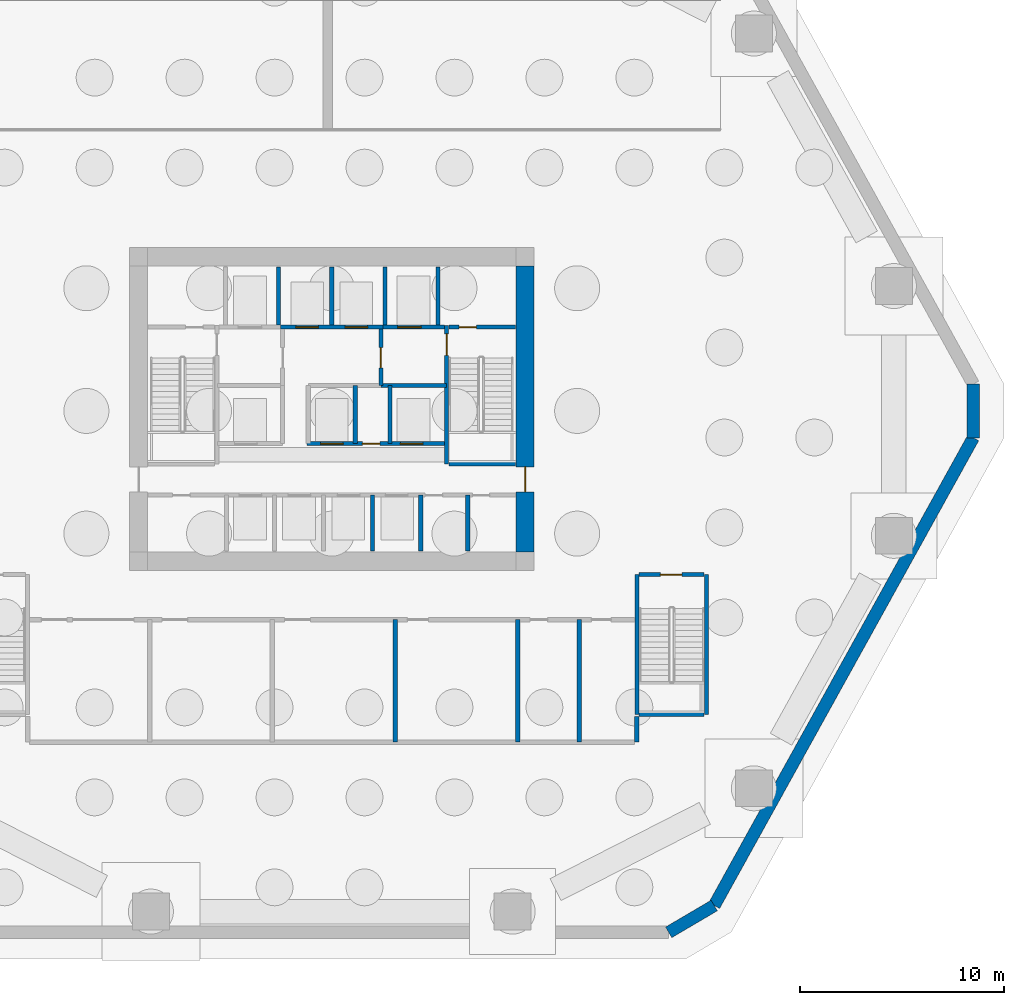
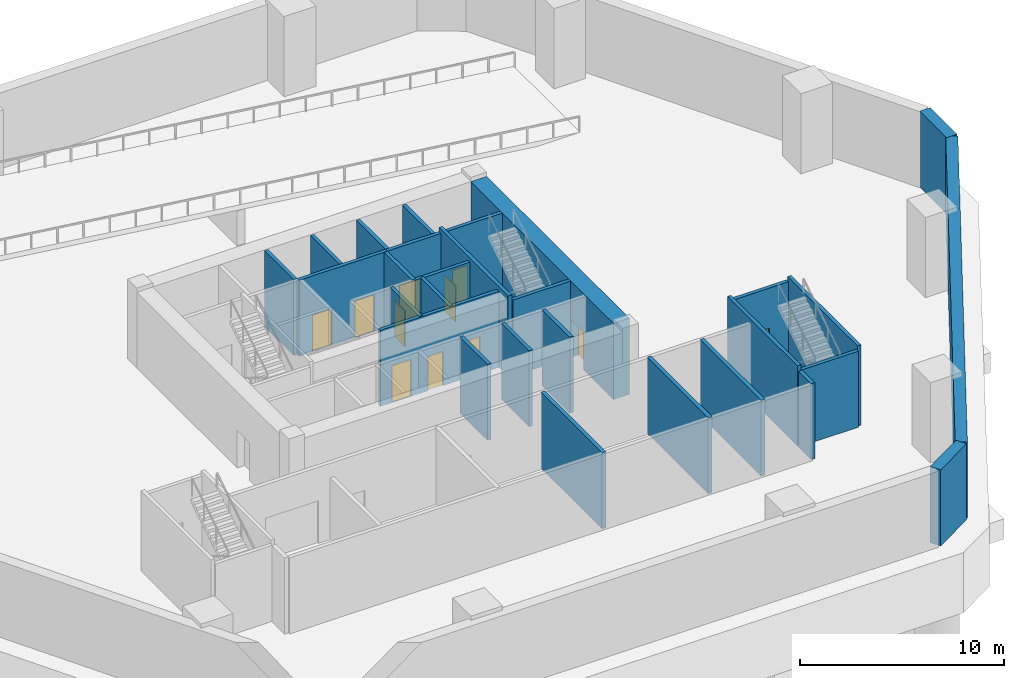
# One storey, part 4 of 9: 29 walls, 11 doors, 11 openings.
"""IFC4 building model written with IfcOpenShell, lengths in metres."""

import ifcopenshell
import ifcopenshell.guid

model = None  # the IFC model being written
_history = None  # IfcOwnerHistory: only IFC2X3 demands one
_inside = {}  # id of a spatial element -> (the spatial element, [elements in it])
_under = {}  # id of a project, library or spatial element -> (it, [spatial elements below it])
_declared = {}  # id of a project -> (the project, [libraries it declares])
_typed = {}  # id of a type object -> (the type object, [elements of that type])
_made_of = {}  # id of a material, layer set ... -> (it, [elements and type objects made of it])


def new_model(schema):
    """Start an empty IFC model of exactly this schema.

    Asked for "IFC4X3", IfcOpenShell would pick the latest addendum, in which some entities
    have other attributes; the version numbers below select the first issue.
    IFC2X3 requires an IfcOwnerHistory on every rooted entity: one is made here for all.
    """
    global model, _history
    if schema == "IFC4X3":
        model = ifcopenshell.file(schema_version=(4, 3, 0, 0))
    else:
        model = ifcopenshell.file(schema=schema)
    _inside.clear()
    _under.clear()
    _declared.clear()
    _typed.clear()
    _made_of.clear()
    _history = None
    if model.schema == "IFC2X3":
        org = make("IfcOrganization", Name="unknown")
        user = make(
            "IfcPersonAndOrganization",
            ThePerson=make("IfcPerson", FamilyName="unknown"),
            TheOrganization=org,
        )
        app = make(
            "IfcApplication",
            ApplicationDeveloper=org,
            Version="unknown",
            ApplicationFullName="unknown",
            ApplicationIdentifier="unknown",
        )
        _history = make(
            "IfcOwnerHistory",
            OwningUser=user,
            OwningApplication=app,
            ChangeAction="ADDED",
            CreationDate=0,
        )
    return model


def make(cls, **values):
    """One entity of the class cls with the attributes given. An attribute that is None is left unset."""
    return model.create_entity(
        cls, **{name: value for name, value in values.items() if value is not None}
    )


def rooted(cls, **values):
    """An entity with a GlobalId (a new one), such as an element, a storey or a relation."""
    return make(cls, GlobalId=ifcopenshell.guid.new(), OwnerHistory=_history, **values)


def si_unit(unit_type, name, prefix=None):
    """IfcSIUnit, for example si_unit("LENGTHUNIT", "METRE", prefix="MILLI")."""
    return make("IfcSIUnit", UnitType=unit_type, Prefix=prefix, Name=name)


def assignment(units):
    """IfcUnitAssignment: the units of a project."""
    return None if units is None else make("IfcUnitAssignment", Units=units)


def point(xyz):
    """IfcCartesianPoint."""
    return None if xyz is None else make("IfcCartesianPoint", Coordinates=xyz)


def direction(xyz):
    """IfcDirection."""
    return None if xyz is None else make("IfcDirection", DirectionRatios=xyz)


def frame(location, z_axis=None, x_axis=None):
    """IfcAxis2Placement3D, a coordinate frame: its origin and axes. An axis left out is left unset."""
    return make(
        "IfcAxis2Placement3D",
        Location=point(location),
        Axis=direction(z_axis),
        RefDirection=direction(x_axis),
    )


def frame_2d(location, x_axis=None):
    """IfcAxis2Placement2D, a coordinate frame in the plane: its origin and x axis."""
    return make(
        "IfcAxis2Placement2D", Location=point(location), RefDirection=direction(x_axis)
    )


def origin():
    """The frame at (0, 0, 0) with its axes left unset."""
    return frame((0.0, 0.0, 0.0))


def place(relative_to, where):
    """IfcLocalPlacement: puts the frame where relative to a parent placement (None: the world)."""
    return make(
        "IfcLocalPlacement", PlacementRelTo=relative_to, RelativePlacement=where
    )


def context(
    kind, dimensions, precision=None, world=None, true_north=None, identifier=None
):
    """IfcGeometricRepresentationContext, for example the 3D "Model" context."""
    return make(
        "IfcGeometricRepresentationContext",
        ContextIdentifier=identifier,
        ContextType=kind,
        CoordinateSpaceDimension=dimensions,
        Precision=precision,
        WorldCoordinateSystem=world,
        TrueNorth=true_north,
    )


def subcontext(parent, identifier, kind, view, scale=None):
    """IfcGeometricRepresentationSubContext, for example "Body" below "Model"."""
    return make(
        "IfcGeometricRepresentationSubContext",
        ContextIdentifier=identifier,
        ContextType=kind,
        ParentContext=parent,
        TargetScale=scale,
        TargetView=view,
    )


def project(units=None, contexts=None):
    """IfcProject with its units and contexts."""
    return rooted(
        "IfcProject",
        Name="project",
        RepresentationContexts=contexts,
        UnitsInContext=assignment(units),
    )


def spatial(cls, under=None, at=None, **own):
    """A site, building, storey or space (cls), placed at a placement, below another one or the project."""
    s = rooted(cls, ObjectPlacement=at, **own)
    if under is not None:
        _under.setdefault(under.id(), (under, []))[1].append(s)
    return s


def profile(cls, at=None, kind="AREA", **sizes):
    """A parametric profile (cls). Its sizes go by their IFC names, for example OverallWidth=200.0."""
    return make(cls, ProfileType=kind, Position=at, **sizes)


def rectangle(**sizes):
    """IfcRectangleProfileDef."""
    return profile("IfcRectangleProfileDef", **sizes)


def extrude(swept, where, along, depth):
    """IfcExtrudedAreaSolid: the profile swept, set in the frame where, extruded along a direction by depth."""
    return make(
        "IfcExtrudedAreaSolid",
        SweptArea=swept,
        Position=where,
        ExtrudedDirection=direction(along),
        Depth=depth,
    )


def shape(context_of_items, identifier, shape_type, items):
    """IfcShapeRepresentation: the items that make up one representation, for example the "Body"."""
    return make(
        "IfcShapeRepresentation",
        ContextOfItems=context_of_items,
        RepresentationIdentifier=identifier,
        RepresentationType=shape_type,
        Items=items,
    )


def material(Name=None, Category=None):
    """IfcMaterial."""
    return make("IfcMaterial", Name=Name, Category=Category)


def layer(
    of_material, thickness, ventilated=None, Name=None, Category=None, Priority=None
):
    """IfcMaterialLayer: one layer of a wall or slab, of a material (None: an air gap)."""
    return make(
        "IfcMaterialLayer",
        Material=of_material,
        LayerThickness=thickness,
        IsVentilated=ventilated,
        Name=Name,
        Category=Category,
        Priority=Priority,
    )


def layer_set(layers, Name=None):
    """IfcMaterialLayerSet."""
    return make("IfcMaterialLayerSet", MaterialLayers=layers, LayerSetName=Name)


def made_of(thing, what):
    """Note that an element or type object is made of a material, layer set ...; save() writes the relation."""
    if what is not None:
        _made_of.setdefault(what.id(), (what, []))[1].append(thing)
    return thing


def type_object(cls, material=None, **own):
    """A type object (cls), such as IfcWallType, which elements share."""
    return made_of(rooted(cls, **own), material)


def element(
    cls,
    number,
    at=None,
    inside=None,
    cuts=None,
    type_object=None,
    material=None,
    context=None,
    identifier="Body",
    shape_type=None,
    held_by="IfcProductDefinitionShape",
    body=None,
    shapes=None,
    **own,
):
    """One element of the class cls, such as IfcWall. Its Tag is "e" and its number.

    at: its placement. inside: the storey or other place that contains it. cuts: it is an
    opening in that element (IfcRelVoidsElement). A single representation is given by context,
    identifier, shape_type and body (its items); several are given by shapes. held_by: the class
    of the entity that holds the representations. save() writes the other relations.
    """
    e = rooted(cls, Tag="e%d" % number, ObjectPlacement=at, **own)
    if body is not None:
        shapes = [shape(context, identifier, shape_type, body)]
    if shapes is not None:
        e.Representation = make(held_by, Representations=shapes)
    if inside is not None:
        _inside.setdefault(inside.id(), (inside, []))[1].append(e)
    if cuts is not None:
        rooted(
            "IfcRelVoidsElement", RelatingBuildingElement=cuts, RelatedOpeningElement=e
        )
    if type_object is not None:
        _typed.setdefault(type_object.id(), (type_object, []))[1].append(e)
    return made_of(e, material)


def fill(opening, filler):
    """IfcRelFillsElement: the door or window that sits in an opening."""
    return rooted(
        "IfcRelFillsElement",
        RelatingOpeningElement=opening,
        RelatedBuildingElement=filler,
    )


def aggregate(whole, parts):
    """IfcRelAggregates: a whole, such as a stair, and the parts it consists of."""
    return rooted("IfcRelAggregates", RelatingObject=whole, RelatedObjects=parts)


def save(model, path):
    """Write the relations noted so far, then the file.

    IfcRelAggregates (storeys below a building ...), IfcRelContainedInSpatialStructure (elements
    in a storey), IfcRelDefinesByType, IfcRelAssociatesMaterial and IfcRelDeclares: one each for
    every whole, place, type object, material and project.
    """
    for whole, parts in _under.values():
        aggregate(whole, parts)
    for where, things in _inside.values():
        rooted(
            "IfcRelContainedInSpatialStructure",
            RelatedElements=things,
            RelatingStructure=where,
        )
    for kind, things in _typed.values():
        rooted("IfcRelDefinesByType", RelatedObjects=things, RelatingType=kind)
    for what, things in _made_of.values():
        rooted("IfcRelAssociatesMaterial", RelatedObjects=things, RelatingMaterial=what)
    for by, libraries in _declared.values():
        rooted("IfcRelDeclares", RelatingContext=by, RelatedDefinitions=libraries)
    model.write(path)


model = new_model("IFC4")

# Units and contexts
model_context = context("Model", 3, precision=1e-05, world=origin(), true_north=direction((0.0, 1.0)))
body_context = subcontext(model_context, "Body", "Model", "MODEL_VIEW")
ifc_project = project(units=[si_unit("LENGTHUNIT", "METRE"), si_unit("AREAUNIT", "SQUARE_METRE"), si_unit("VOLUMEUNIT", "CUBIC_METRE"), si_unit("PLANEANGLEUNIT", "RADIAN"), si_unit("MASSUNIT", "GRAM", prefix="KILO")], contexts=[model_context])

# Site, building, storey
site_placement = place(None, origin())
site = spatial("IfcSite", under=ifc_project, at=site_placement, CompositionType="ELEMENT")
building_placement = place(site_placement, origin())
building = spatial("IfcBuilding", under=site, at=building_placement, Name="Cinnabar Lancet Tower", CompositionType="ELEMENT")
storey_placement = place(building_placement, frame((0.0, 0.0, -4.800048828125)))
storey = spatial("IfcBuildingStorey", under=building, at=storey_placement, Name="B1", CompositionType="ELEMENT", Elevation=-4.800048828125)

# Walls
ifc_material_1 = material(Name="Acoustic masonry plant room wall", Category="masonry")
ifc_layer_1 = layer(ifc_material_1, 0.219970703125)
ifc_layer_set_1 = layer_set([ifc_layer_1], Name="Acoustic masonry plant room wall")
wall_type_1 = type_object("IfcWallType", Name="ARC-WL-PLANT-220", PredefinedType="PARTITIONING", material=ifc_layer_set_1)
wall_1_placement = place(storey_placement, frame((47.320068359375, 9.60009765625, 0.0), z_axis=(0.0, 0.0, 1.0), x_axis=(0.0, 1.0, 0.0)))
element("IfcWall", 1, at=wall_1_placement, inside=storey, type_object=wall_type_1, Name="PW-B1-PLE", PredefinedType="PARTITIONING", context=body_context, shape_type="SweptSolid", body=[
    extrude(rectangle(XDim=1.244873046875, YDim=0.219970703125, at=frame_2d((0.62255859375, 0.0))), origin(), (0.0, 0.0, 1.0), 4.550048828125),
])
for number, where, z_axis, x_axis, name in (
    (2, (35.5, 9.60009765625, 0.0), (0.0, 0.0, 1.0), (0.0, 1.0, 0.0), "PW-B1-PLD-355"),
    (3, (41.5, 9.60009765625, 0.0), (0.0, 0.0, 1.0), (0.0, 1.0, 0.0), "PW-B1-PLD-415"),
    (4, (44.5, 9.60009765625, 0.0), (0.0, 0.0, 1.0), (0.0, 1.0, 0.0), "PW-B1-PLD-445"),
):
    element("IfcWall", number, at=place(storey_placement, frame(where, z_axis=z_axis, x_axis=x_axis)), inside=storey, type_object=wall_type_1, Name=name, PredefinedType="PARTITIONING", context=body_context, shape_type="SweptSolid", body=[
        extrude(rectangle(XDim=6.0, YDim=0.219970703125, at=frame_2d((3.0, 0.0))), origin(), (0.0, 0.0, 1.0), 4.550048828125),
    ])
ifc_material_2 = material(Name="Autoclaved aerated concrete blockwork", Category="masonry")
ifc_layer_2 = layer(ifc_material_2, 0.199951171875)
ifc_layer_set_2 = layer_set([ifc_layer_2], Name="Autoclaved aerated concrete blockwork")
wall_type_2 = type_object("IfcWallType", Name="ARC-WL-SHAFT-200", PredefinedType="PLUMBINGWALL", material=ifc_layer_set_2)
wall_2_placement = place(storey_placement, frame((38.125, 23.199951171875, 0.0), z_axis=(0.0, 0.0, 1.0), x_axis=(1.0, 0.0, 0.0)))
element("IfcWall", 5, at=wall_2_placement, inside=storey, type_object=wall_type_2, Name="CW-ST2S-B1", PredefinedType="PLUMBINGWALL", context=body_context, shape_type="SweptSolid", body=[
    extrude(rectangle(XDim=3.27001953125, YDim=0.199951171875, at=frame_2d((1.635009765625, 0.0))), origin(), (0.0, 0.0, 1.0), 4.550048828125),
])

# Wall, openings, doors
wall_3_placement = place(storey_placement, frame((29.89990234375, 29.89990234375, 0.0), z_axis=(0.0, 0.0, 1.0), x_axis=(1.0, 0.0, 0.0)))
wall_3 = element("IfcWall", 6, at=wall_3_placement, inside=storey, type_object=wall_type_2, Name="CW-PL78-B1", PredefinedType="PLUMBINGWALL", context=body_context, shape_type="SweptSolid", body=[
    extrude(rectangle(XDim=5.0, YDim=0.199951171875, at=frame_2d((2.5, 0.0))), origin(), (0.0, 0.0, 1.0), 4.550048828125),
])
opening_1_placement = place(wall_3_placement, frame((0.75, 0.0, 0.0)))
opening_1 = element("IfcOpeningElement", 7, at=opening_1_placement, cuts=wall_3, Name="Opening LD-01", PredefinedType="OPENING", context=body_context, shape_type="SweptSolid", body=[
    extrude(rectangle(XDim=1.10009765625, YDim=2.199951171875, at=frame_2d((0.550048828125, 1.10009765625))), frame((0.0, 0.10986328125, 0.0), z_axis=(0.0, -1.0, 0.0), x_axis=(1.0, 0.0, 0.0)), (0.0, 0.0, 1.0), 0.219970703125),
])
opening_2_placement = place(wall_3_placement, frame((3.14990234375, 0.0, 0.0)))
opening_2 = element("IfcOpeningElement", 8, at=opening_2_placement, cuts=wall_3, Name="Opening LD-01", PredefinedType="OPENING", context=body_context, shape_type="SweptSolid", body=[
    extrude(rectangle(XDim=1.10009765625, YDim=2.199951171875, at=frame_2d((0.550048828125, 1.10009765625))), frame((0.0, 0.10986328125, 0.0), z_axis=(0.0, -1.0, 0.0), x_axis=(1.0, 0.0, 0.0)), (0.0, 0.0, 1.0), 0.219970703125),
])
ifc_material_3 = material(Name="Brushed stainless steel sliding lift door", Category="steel")
door_type_1 = type_object("IfcDoorType", Name="ARC-DR-LD-PASS", OperationType="NOTDEFINED", PredefinedType="DOOR", material=ifc_material_3)
door_1_placement = place(opening_1_placement, origin())
door_1 = element("IfcDoor", 9, at=door_1_placement, inside=storey, type_object=door_type_1, Name="B1 Lift PL-7 Landing Door", OperationType="DOUBLE_DOOR_SLIDING", OverallHeight=2.199951171875, OverallWidth=1.10009765625, PredefinedType="DOOR", context=body_context, shape_type="SweptSolid", body=[
    extrude(rectangle(XDim=1.10009765625, YDim=2.199951171875, at=frame_2d((0.550048828125, 1.10009765625))), frame((0.0, 0.02490234375, 0.0), z_axis=(0.0, -1.0, 0.0), x_axis=(1.0, 0.0, 0.0)), (0.0, 0.0, 1.0), 0.050048828125),
])
fill(opening_1, door_1)
door_2_placement = place(opening_2_placement, origin())
door_2 = element("IfcDoor", 10, at=door_2_placement, inside=storey, type_object=door_type_1, Name="B1 Lift PL-8 Landing Door", OperationType="DOUBLE_DOOR_SLIDING", OverallHeight=2.199951171875, OverallWidth=1.10009765625, PredefinedType="DOOR", context=body_context, shape_type="SweptSolid", body=[
    extrude(rectangle(XDim=1.10009765625, YDim=2.199951171875, at=frame_2d((0.550048828125, 1.10009765625))), frame((0.0, 0.02490234375, 0.0), z_axis=(0.0, -1.0, 0.0), x_axis=(1.0, 0.0, 0.0)), (0.0, 0.0, 1.0), 0.050048828125),
])
fill(opening_2, door_2)

# Wall, opening, door
wall_4_placement = place(storey_placement, frame((34.89990234375, 29.89990234375, 0.0), z_axis=(0.0, 0.0, 1.0), x_axis=(1.0, 0.0, 0.0)))
wall_4 = element("IfcWall", 11, at=wall_4_placement, inside=storey, type_object=wall_type_2, Name="CW-FL2-B1", PredefinedType="PLUMBINGWALL", context=body_context, shape_type="SweptSolid", body=[
    extrude(rectangle(XDim=3.01513671875, YDim=0.199951171875, at=frame_2d((1.507568359375, 0.0))), origin(), (0.0, 0.0, 1.0), 4.550048828125),
])
opening_3_placement = place(wall_4_placement, frame((0.72509765625, 0.0, 0.0)))
opening_3 = element("IfcOpeningElement", 12, at=opening_3_placement, cuts=wall_4, Name="Opening LD-02", PredefinedType="OPENING", context=body_context, shape_type="SweptSolid", body=[
    extrude(rectangle(XDim=1.14990234375, YDim=2.199951171875, at=frame_2d((0.574951171875, 1.10009765625))), frame((0.0, 0.10986328125, 0.0), z_axis=(0.0, -1.0, 0.0), x_axis=(1.0, 0.0, 0.0)), (0.0, 0.0, 1.0), 0.219970703125),
])
ifc_material_4 = material(Name="Fire-rated stainless steel firefighting lift landing door", Category="steel")
door_type_2 = type_object("IfcDoorType", Name="ARC-DR-LD-FIRE", OperationType="NOTDEFINED", PredefinedType="DOOR", material=ifc_material_4)
door_3_placement = place(opening_3_placement, origin())
door_3 = element("IfcDoor", 13, at=door_3_placement, inside=storey, type_object=door_type_2, Name="B1 Firefighting Lift FL-2 Landing Door", OperationType="DOUBLE_DOOR_SLIDING", OverallHeight=2.199951171875, OverallWidth=1.14990234375, PredefinedType="DOOR", context=body_context, shape_type="SweptSolid", body=[
    extrude(rectangle(XDim=1.14990234375, YDim=2.199951171875, at=frame_2d((0.574951171875, 1.10009765625))), frame((0.0, 0.02490234375, 0.0), z_axis=(0.0, -1.0, 0.0), x_axis=(1.0, 0.0, 0.0)), (0.0, 0.0, 1.0), 0.050048828125),
])
fill(opening_3, door_3)

wall_5_placement = place(storey_placement, frame((38.125, 29.89990234375, 0.0), z_axis=(0.0, 0.0, 1.0), x_axis=(1.0, 0.0, 0.0)))
wall_5 = element("IfcWall", 14, at=wall_5_placement, inside=storey, type_object=wall_type_2, Name="CW-NSH-E-B1", PredefinedType="PLUMBINGWALL", context=body_context, shape_type="SweptSolid", body=[
    extrude(rectangle(XDim=3.27001953125, YDim=0.199951171875, at=frame_2d((1.635009765625, 0.0))), origin(), (0.0, 0.0, 1.0), 4.550048828125),
])
opening_4_placement = place(wall_5_placement, frame((0.5, 0.0, 0.0)))
opening_4 = element("IfcOpeningElement", 15, at=opening_4_placement, cuts=wall_5, Name="Opening PD-02", PredefinedType="OPENING", context=body_context, shape_type="SweptSolid", body=[
    extrude(rectangle(XDim=0.85009765625, YDim=2.050048828125, at=frame_2d((0.425048828125, 1.02490234375))), frame((0.0, 0.10986328125, 0.0), z_axis=(0.0, -1.0, 0.0), x_axis=(1.0, 0.0, 0.0)), (0.0, 0.0, 1.0), 0.219970703125),
])
ifc_material_5 = material(Name="Fire-rated steel riser access door", Category="steel")
door_type_3 = type_object("IfcDoorType", Name="ARC-DR-RISER", OperationType="NOTDEFINED", PredefinedType="DOOR", material=ifc_material_5)
door_4_placement = place(opening_4_placement, origin())
door_4 = element("IfcDoor", 16, at=door_4_placement, inside=storey, type_object=door_type_3, Name="B1 East Riser Access Door", OperationType="SINGLE_SWING_RIGHT", OverallHeight=2.050048828125, OverallWidth=0.85009765625, PredefinedType="DOOR", context=body_context, shape_type="SweptSolid", body=[
    extrude(rectangle(XDim=0.85009765625, YDim=2.050048828125, at=frame_2d((0.425048828125, 1.02490234375))), frame((0.0, 0.02490234375, 0.0), z_axis=(0.0, -1.0, 0.0), x_axis=(1.0, 0.0, 0.0)), (0.0, 0.0, 1.0), 0.050048828125),
])
fill(opening_4, door_4)

# Walls
for number, where, z_axis, x_axis, name in (
    (17, (29.800048828125, 30.0, 0.0), (0.0, 0.0, 1.0), (0.0, 1.0, 0.0), "CW-NSH-D2-B1"),
    (18, (32.39990234375, 30.0, 0.0), (0.0, 0.0, 1.0), (0.0, 1.0, 0.0), "CW-NSH-D3-B1"),
    (19, (35.0, 30.0, 0.0), (0.0, 0.0, 1.0), (0.0, 1.0, 0.0), "CW-NSH-D4-B1"),
    (20, (37.60009765625, 30.0, 0.0), (0.0, 0.0, 1.0), (0.0, 1.0, 0.0), "CW-NSH-D5-B1"),
):
    element("IfcWall", number, at=place(storey_placement, frame(where, z_axis=z_axis, x_axis=x_axis)), inside=storey, type_object=wall_type_2, Name=name, PredefinedType="PLUMBINGWALL", context=body_context, shape_type="SweptSolid", body=[
        extrude(rectangle(XDim=2.85009765625, YDim=0.199951171875, at=frame_2d((1.425048828125, 0.0))), origin(), (0.0, 0.0, 1.0), 4.550048828125),
    ])

# Wall, opening, door
wall_6_placement = place(storey_placement, frame((34.800048828125, 27.050048828125, 0.0), z_axis=(0.0, 0.0, 1.0), x_axis=(0.0, 1.0, 0.0)))
wall_6 = element("IfcWall", 21, at=wall_6_placement, inside=storey, type_object=wall_type_2, Name="CW-FF2W-B1", PredefinedType="PLUMBINGWALL", context=body_context, shape_type="SweptSolid", body=[
    extrude(rectangle(XDim=2.75, YDim=0.199951171875, at=frame_2d((1.375, 0.0))), origin(), (0.0, 0.0, 1.0), 4.550048828125),
])
opening_5_placement = place(wall_6_placement, frame((0.85009765625, 0.0, 0.0)))
opening_5 = element("IfcOpeningElement", 22, at=opening_5_placement, cuts=wall_6, Name="Opening FD-01", PredefinedType="OPENING", context=body_context, shape_type="SweptSolid", body=[
    extrude(rectangle(XDim=1.0, YDim=2.14990234375, at=frame_2d((0.5, 1.074951171875))), frame((0.0, 0.10986328125, 0.0), z_axis=(0.0, -1.0, 0.0), x_axis=(1.0, 0.0, 0.0)), (0.0, 0.0, 1.0), 0.219970703125),
])
ifc_material_6 = material(Name="Fire-rated timber-core lobby door", Category="wood")
door_type_4 = type_object("IfcDoorType", Name="ARC-DR-FFAL", OperationType="NOTDEFINED", PredefinedType="DOOR", material=ifc_material_6)
door_5_placement = place(opening_5_placement, origin())
door_5 = element("IfcDoor", 23, at=door_5_placement, inside=storey, type_object=door_type_4, Name="B1 FFAL-2 Lobby Fire Door", OperationType="SINGLE_SWING_LEFT", OverallHeight=2.14990234375, OverallWidth=1.0, PredefinedType="DOOR", context=body_context, shape_type="SweptSolid", body=[
    extrude(rectangle(XDim=1.0, YDim=2.14990234375, at=frame_2d((0.5, 1.074951171875))), frame((0.0, 0.02490234375, 0.0), z_axis=(0.0, -1.0, 0.0), x_axis=(1.0, 0.0, 0.0)), (0.0, 0.0, 1.0), 0.050048828125),
])
fill(opening_5, door_5)

# Wall
wall_7_placement = place(storey_placement, frame((34.800048828125, 27.050048828125, 0.0), z_axis=(0.0, 0.0, 1.0), x_axis=(1.0, 0.0, 0.0)))
element("IfcWall", 24, at=wall_7_placement, inside=storey, type_object=wall_type_2, Name="CW-FF2S-B1", PredefinedType="PLUMBINGWALL", context=body_context, shape_type="SweptSolid", body=[
    extrude(rectangle(XDim=3.199951171875, YDim=0.199951171875, at=frame_2d((1.60009765625, 0.0))), origin(), (0.0, 0.0, 1.0), 4.550048828125),
])

# Wall, openings, doors
wall_8_placement = place(storey_placement, frame((31.199951171875, 24.199951171875, 0.0), z_axis=(0.0, 0.0, 1.0), x_axis=(1.0, 0.0, 0.0)))
wall_8 = element("IfcWall", 25, at=wall_8_placement, inside=storey, type_object=wall_type_2, Name="CW-PL96S-B1", PredefinedType="PLUMBINGWALL", context=body_context, shape_type="SweptSolid", body=[
    extrude(rectangle(XDim=6.800048828125, YDim=0.199951171875, at=frame_2d((3.39990234375, 0.0))), origin(), (0.0, 0.0, 1.0), 4.550048828125),
])
opening_6_placement = place(wall_8_placement, frame((0.64990234375, 0.0, 0.0)))
opening_6 = element("IfcOpeningElement", 26, at=opening_6_placement, cuts=wall_8, Name="Opening LD-01", PredefinedType="OPENING", context=body_context, shape_type="SweptSolid", body=[
    extrude(rectangle(XDim=1.10009765625, YDim=2.199951171875, at=frame_2d((0.550048828125, 1.10009765625))), frame((0.0, 0.10986328125, 0.0), z_axis=(0.0, -1.0, 0.0), x_axis=(1.0, 0.0, 0.0)), (0.0, 0.0, 1.0), 0.219970703125),
])
opening_7_placement = place(wall_8_placement, frame((2.699951171875, 0.0, 0.0)))
opening_7 = element("IfcOpeningElement", 27, at=opening_7_placement, cuts=wall_8, Name="Opening PD-02", PredefinedType="OPENING", context=body_context, shape_type="SweptSolid", body=[
    extrude(rectangle(XDim=0.85009765625, YDim=2.050048828125, at=frame_2d((0.425048828125, 1.02490234375))), frame((0.0, 0.10986328125, 0.0), z_axis=(0.0, -1.0, 0.0), x_axis=(1.0, 0.0, 0.0)), (0.0, 0.0, 1.0), 0.219970703125),
])
opening_8_placement = place(wall_8_placement, frame((4.550048828125, 0.0, 0.0)))
opening_8 = element("IfcOpeningElement", 28, at=opening_8_placement, cuts=wall_8, Name="Opening LD-01", PredefinedType="OPENING", context=body_context, shape_type="SweptSolid", body=[
    extrude(rectangle(XDim=1.10009765625, YDim=2.199951171875, at=frame_2d((0.550048828125, 1.10009765625))), frame((0.0, 0.10986328125, 0.0), z_axis=(0.0, -1.0, 0.0), x_axis=(1.0, 0.0, 0.0)), (0.0, 0.0, 1.0), 0.219970703125),
])
door_6_placement = place(opening_6_placement, origin())
door_6 = element("IfcDoor", 29, at=door_6_placement, inside=storey, type_object=door_type_1, Name="B1 Lift PL-9 Landing Door", OperationType="DOUBLE_DOOR_SLIDING", OverallHeight=2.199951171875, OverallWidth=1.10009765625, PredefinedType="DOOR", context=body_context, shape_type="SweptSolid", body=[
    extrude(rectangle(XDim=1.10009765625, YDim=2.199951171875, at=frame_2d((0.550048828125, 1.10009765625))), frame((0.0, 0.02490234375, 0.0), z_axis=(0.0, -1.0, 0.0), x_axis=(1.0, 0.0, 0.0)), (0.0, 0.0, 1.0), 0.050048828125),
])
fill(opening_6, door_6)
door_7_placement = place(opening_8_placement, origin())
door_7 = element("IfcDoor", 30, at=door_7_placement, inside=storey, type_object=door_type_1, Name="B1 Lift PL-6 Landing Door", OperationType="DOUBLE_DOOR_SLIDING", OverallHeight=2.199951171875, OverallWidth=1.10009765625, PredefinedType="DOOR", context=body_context, shape_type="SweptSolid", body=[
    extrude(rectangle(XDim=1.10009765625, YDim=2.199951171875, at=frame_2d((0.550048828125, 1.10009765625))), frame((0.0, 0.02490234375, 0.0), z_axis=(0.0, -1.0, 0.0), x_axis=(1.0, 0.0, 0.0)), (0.0, 0.0, 1.0), 0.050048828125),
])
fill(opening_8, door_7)
door_8_placement = place(opening_7_placement, origin())
door_8 = element("IfcDoor", 31, at=door_8_placement, inside=storey, type_object=door_type_3, Name="B1 BMS Closet Door", OperationType="SINGLE_SWING_LEFT", OverallHeight=2.050048828125, OverallWidth=0.85009765625, PredefinedType="DOOR", context=body_context, shape_type="SweptSolid", body=[
    extrude(rectangle(XDim=0.85009765625, YDim=2.050048828125, at=frame_2d((0.425048828125, 1.02490234375))), frame((0.0, 0.02490234375, 0.0), z_axis=(0.0, -1.0, 0.0), x_axis=(1.0, 0.0, 0.0)), (0.0, 0.0, 1.0), 0.050048828125),
])
fill(opening_7, door_8)

# Walls
for number, where, z_axis, x_axis, name in (
    (32, (33.550048828125, 24.199951171875, 0.0), (0.0, 0.0, 1.0), (0.0, 1.0, 0.0), "CW-PL9E-B1"),
    (33, (35.25, 24.199951171875, 0.0), (0.0, 0.0, 1.0), (0.0, 1.0, 0.0), "CW-PL6W-B1"),
):
    element("IfcWall", number, at=place(storey_placement, frame(where, z_axis=z_axis, x_axis=x_axis)), inside=storey, type_object=wall_type_2, Name=name, PredefinedType="PLUMBINGWALL", context=body_context, shape_type="SweptSolid", body=[
        extrude(rectangle(XDim=2.85009765625, YDim=0.199951171875, at=frame_2d((1.425048828125, 0.0))), origin(), (0.0, 0.0, 1.0), 4.550048828125),
    ])
for number, where, z_axis, x_axis, name in (
    (34, (34.39990234375, 18.949951171875, 0.0), (0.0, 0.0, 1.0), (0.0, 1.0, 0.0), "CW-SB-3440-B1"),
    (35, (36.75, 18.949951171875, 0.0), (0.0, 0.0, 1.0), (0.0, 1.0, 0.0), "CW-SB-3675-B1"),
    (36, (39.050048828125, 18.949951171875, 0.0), (0.0, 0.0, 1.0), (0.0, 1.0, 0.0), "CW-SB-SE-B1"),
):
    element("IfcWall", number, at=place(storey_placement, frame(where, z_axis=z_axis, x_axis=x_axis)), inside=storey, type_object=wall_type_2, Name=name, PredefinedType="PLUMBINGWALL", context=body_context, shape_type="SweptSolid", body=[
        extrude(rectangle(XDim=2.72998046875, YDim=0.199951171875, at=frame_2d((1.364990234375, 0.0))), origin(), (0.0, 0.0, 1.0), 4.550048828125),
    ])
wall_9_placement = place(storey_placement, frame((47.425048828125, 10.949951171875, 0.0), z_axis=(0.0, 0.0, 1.0), x_axis=(1.0, 0.0, 0.0)))
element("IfcWall", 37, at=wall_9_placement, inside=storey, type_object=wall_type_2, Name="PW-ST4S-B1", PredefinedType="PLUMBINGWALL", context=body_context, shape_type="SweptSolid", body=[
    extrude(rectangle(XDim=3.18994140625, YDim=0.199951171875, at=frame_2d((1.594970703125, 0.0))), origin(), (0.0, 0.0, 1.0), 4.550048828125),
])

# Wall, opening, door
wall_10_placement = place(storey_placement, frame((47.425048828125, 17.800048828125, 0.0), z_axis=(0.0, 0.0, 1.0), x_axis=(1.0, 0.0, 0.0)))
wall_10 = element("IfcWall", 38, at=wall_10_placement, inside=storey, type_object=wall_type_2, Name="PW-ST4N-B1", PredefinedType="PLUMBINGWALL", context=body_context, shape_type="SweptSolid", body=[
    extrude(rectangle(XDim=3.18994140625, YDim=0.199951171875, at=frame_2d((1.594970703125, 0.0))), origin(), (0.0, 0.0, 1.0), 4.550048828125),
])
opening_9_placement = place(wall_10_placement, frame((1.050048828125, 0.0, 0.0)))
opening_9 = element("IfcOpeningElement", 39, at=opening_9_placement, cuts=wall_10, Name="Opening SD-01", PredefinedType="OPENING", context=body_context, shape_type="SweptSolid", body=[
    extrude(rectangle(XDim=1.050048828125, YDim=2.14990234375, at=frame_2d((0.52490234375, 1.074951171875))), frame((0.0, 0.10986328125, 0.0), z_axis=(0.0, -1.0, 0.0), x_axis=(1.0, 0.0, 0.0)), (0.0, 0.0, 1.0), 0.219970703125),
])
ifc_material_7 = material(Name="Fire-rated steel stair exit door", Category="steel")
door_type_5 = type_object("IfcDoorType", Name="ARC-DR-STAIR", OperationType="NOTDEFINED", PredefinedType="DOOR", material=ifc_material_7)
door_9_placement = place(opening_9_placement, origin())
door_9 = element("IfcDoor", 40, at=door_9_placement, inside=storey, type_object=door_type_5, Name="B1 Podium Stair ST-4 Fire Door", OperationType="SINGLE_SWING_RIGHT", OverallHeight=2.14990234375, OverallWidth=1.050048828125, PredefinedType="DOOR", context=body_context, shape_type="SweptSolid", body=[
    extrude(rectangle(XDim=1.050048828125, YDim=2.14990234375, at=frame_2d((0.52490234375, 1.074951171875))), frame((0.0, 0.02490234375, 0.0), z_axis=(0.0, -1.0, 0.0), x_axis=(1.0, 0.0, 0.0)), (0.0, 0.0, 1.0), 0.050048828125),
])
fill(opening_9, door_9)

ifc_material_8 = material(Name="Concrete C80/95", Category="concrete")
ifc_layer_3 = layer(ifc_material_8, 0.89990234375)
ifc_layer_set_3 = layer_set([ifc_layer_3], Name="Concrete C80/95")
wall_type_3 = type_object("IfcWallType", Name="STR-WL-CORE-900", PredefinedType="SHEAR", material=ifc_layer_set_3)
wall_11_placement = place(storey_placement, frame((41.85009765625, 18.89990234375, 0.0), z_axis=(0.0, 0.0, 1.0), x_axis=(0.0, 1.0, 0.0)))
wall_11 = element("IfcWall", 41, at=wall_11_placement, inside=storey, type_object=wall_type_3, Name="B1 Core Shear Wall E", PredefinedType="SHEAR", context=body_context, shape_type="SweptSolid", body=[
    extrude(rectangle(XDim=14.0, YDim=0.89990234375, at=frame_2d((7.0, 0.0))), origin(), (0.0, 0.0, 1.0), 4.550048828125),
])
opening_10_placement = place(wall_11_placement, frame((2.93994140625, 0.0, 0.0)))
opening_10 = element("IfcOpeningElement", 42, at=opening_10_placement, cuts=wall_11, Name="Opening FD-02", PredefinedType="OPENING", context=body_context, shape_type="SweptSolid", body=[
    extrude(rectangle(XDim=1.219970703125, YDim=2.25, at=frame_2d((0.60986328125, 1.125))), frame((0.0, 0.4599609375, 0.0), z_axis=(0.0, -1.0, 0.0), x_axis=(1.0, 0.0, 0.0)), (0.0, 0.0, 1.0), 0.919921875),
])
ifc_material_9 = material(Name="Fire-rated double-vision core portal door", Category="wood")
door_type_6 = type_object("IfcDoorType", Name="ARC-DR-CPORT", OperationType="NOTDEFINED", PredefinedType="DOOR", material=ifc_material_9)
door_10_placement = place(opening_10_placement, origin())
door_10 = element("IfcDoor", 43, at=door_10_placement, inside=storey, type_object=door_type_6, Name="B1 East Core Lobby Fire Door", OperationType="SINGLE_SWING_LEFT", OverallHeight=2.25, OverallWidth=1.219970703125, PredefinedType="DOOR", context=body_context, shape_type="SweptSolid", body=[
    extrude(rectangle(XDim=1.219970703125, YDim=2.25, at=frame_2d((0.60986328125, 1.125))), frame((0.0, 0.02490234375, 0.0), z_axis=(0.0, -1.0, 0.0), x_axis=(1.0, 0.0, 0.0)), (0.0, 0.0, 1.0), 0.050048828125),
])
fill(opening_10, door_10)

# Walls
ifc_material_10 = material(Name="Concrete C50/60", Category="concrete")
ifc_layer_4 = layer(ifc_material_10, 0.60009765625)
ifc_layer_set_4 = layer_set([ifc_layer_4], Name="Concrete C50/60")
wall_type_4 = type_object("IfcWallType", Name="STR-WL-RET-600", PredefinedType="USERDEFINED", material=ifc_layer_set_4)
wall_12_placement = place(storey_placement, frame((48.8759765625, 0.300048828125, 0.0), z_axis=(0.0, 0.0, 1.0), x_axis=(0.861598949961, 0.507589646689, 0.0)))
element("IfcWall", 44, at=wall_12_placement, inside=storey, type_object=wall_type_4, Name="Basement B1 Waterproof Retaining Wall 3", ObjectType="RETAININGWALL", PredefinedType="USERDEFINED", context=body_context, shape_type="SweptSolid", body=[
    extrude(rectangle(XDim=2.584716796875, YDim=0.60009765625, at=frame_2d((1.29248046875, 0.0))), origin(), (0.0, 0.0, 1.0), 4.550048828125),
])
wall_13_placement = place(storey_placement, frame((51.10302734375, 1.612060546875, 0.0), z_axis=(0.0, 0.0, 1.0), x_axis=(0.484504224603, 0.874788921021, 0.0)))
element("IfcWall", 45, at=wall_13_placement, inside=storey, type_object=wall_type_4, Name="Basement B1 Waterproof Retaining Wall 4", ObjectType="RETAININGWALL", PredefinedType="USERDEFINED", context=body_context, shape_type="SweptSolid", body=[
    extrude(rectangle(XDim=26.150390625, YDim=0.60009765625, at=frame_2d((13.0751953125, 0.0))), origin(), (0.0, 0.0, 1.0), 4.550048828125),
])
wall_14_placement = place(storey_placement, frame((63.77294921875, 24.488037109375, 0.0), z_axis=(0.0, 0.0, 1.0), x_axis=(0.0, 1.0, 0.0)))
element("IfcWall", 46, at=wall_14_placement, inside=storey, type_object=wall_type_4, Name="Basement B1 Waterproof Retaining Wall 5", ObjectType="RETAININGWALL", PredefinedType="USERDEFINED", context=body_context, shape_type="SweptSolid", body=[
    extrude(rectangle(XDim=2.6240234375, YDim=0.60009765625, at=frame_2d((1.31201171875, 0.0))), origin(), (0.0, 0.0, 1.0), 4.550048828125),
])

# Wall, opening, door
ifc_material_11 = material(Name="Concrete C50/60", Category="concrete")
ifc_layer_5 = layer(ifc_material_11, 0.199951171875)
ifc_layer_set_5 = layer_set([ifc_layer_5], Name="Concrete C50/60")
wall_type_5 = type_object("IfcWallType", Name="STR-WL-STAIR-200", PredefinedType="SHEAR", material=ifc_layer_set_5)
wall_15_placement = place(storey_placement, frame((38.02001953125, 23.199951171875, 0.0), z_axis=(0.0, 0.0, 1.0), x_axis=(0.0, 1.0, 0.0)))
wall_15 = element("IfcWall", 47, at=wall_15_placement, inside=storey, type_object=wall_type_5, Name="B1 Stair ST-2 Structural Enclosure Wall", PredefinedType="SHEAR", context=body_context, shape_type="SweptSolid", body=[
    extrude(rectangle(XDim=6.780029296875, YDim=0.199951171875, at=frame_2d((3.39013671875, 0.0))), origin(), (0.0, 0.0, 1.0), 4.800048828125),
])
opening_11_placement = place(wall_15_placement, frame((5.320068359375, 0.0, 0.0)))
opening_11 = element("IfcOpeningElement", 48, at=opening_11_placement, cuts=wall_15, Name="Opening SD-01", PredefinedType="OPENING", context=body_context, shape_type="SweptSolid", body=[
    extrude(rectangle(XDim=1.050048828125, YDim=2.14990234375, at=frame_2d((0.52490234375, 1.074951171875))), frame((0.0, 0.10986328125, 0.0), z_axis=(0.0, -1.0, 0.0), x_axis=(1.0, 0.0, 0.0)), (0.0, 0.0, 1.0), 0.219970703125),
])
door_11_placement = place(opening_11_placement, origin())
door_11 = element("IfcDoor", 49, at=door_11_placement, inside=storey, type_object=door_type_5, Name="B1 Stair ST-2 Fire Door", OperationType="SINGLE_SWING_RIGHT", OverallHeight=2.14990234375, OverallWidth=1.050048828125, PredefinedType="DOOR", context=body_context, shape_type="SweptSolid", body=[
    extrude(rectangle(XDim=1.050048828125, YDim=2.14990234375, at=frame_2d((0.52490234375, 1.074951171875))), frame((0.0, 0.02490234375, 0.0), z_axis=(0.0, -1.0, 0.0), x_axis=(1.0, 0.0, 0.0)), (0.0, 0.0, 1.0), 0.050048828125),
])
fill(opening_11, door_11)

# Walls
for number, where, z_axis, x_axis, name in (
    (50, (47.320068359375, 10.949951171875, 0.0), (0.0, 0.0, 1.0), (0.0, 1.0, 0.0), "B1 Stair ST4 West Structural Wall"),
    (51, (50.719970703125, 10.949951171875, 0.0), (0.0, 0.0, 1.0), (0.0, 1.0, 0.0), "B1 Stair ST4 East Structural Wall"),
):
    element("IfcWall", number, at=place(storey_placement, frame(where, z_axis=z_axis, x_axis=x_axis)), inside=storey, type_object=wall_type_5, Name=name, PredefinedType="SHEAR", context=body_context, shape_type="SweptSolid", body=[
        extrude(rectangle(XDim=6.85009765625, YDim=0.199951171875, at=frame_2d((3.425048828125, 0.0))), origin(), (0.0, 0.0, 1.0), 4.800048828125),
    ])

save(model, "model.ifc")
